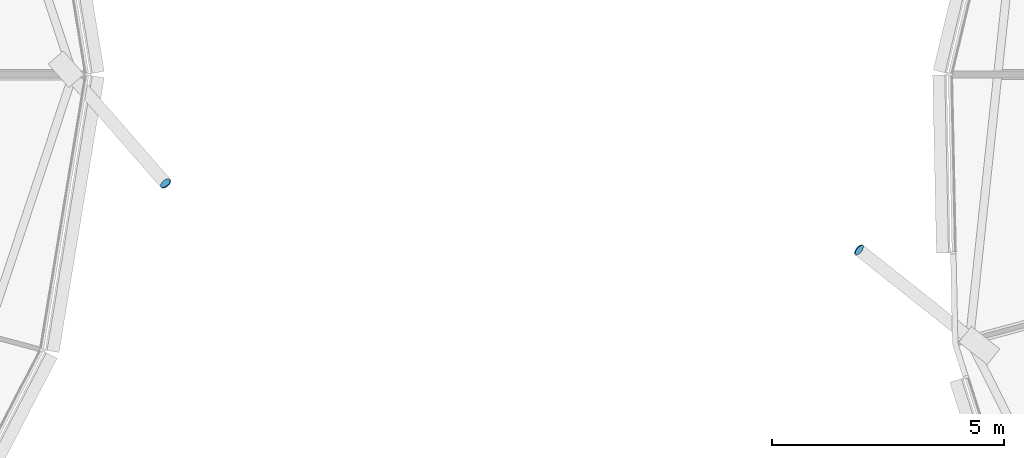
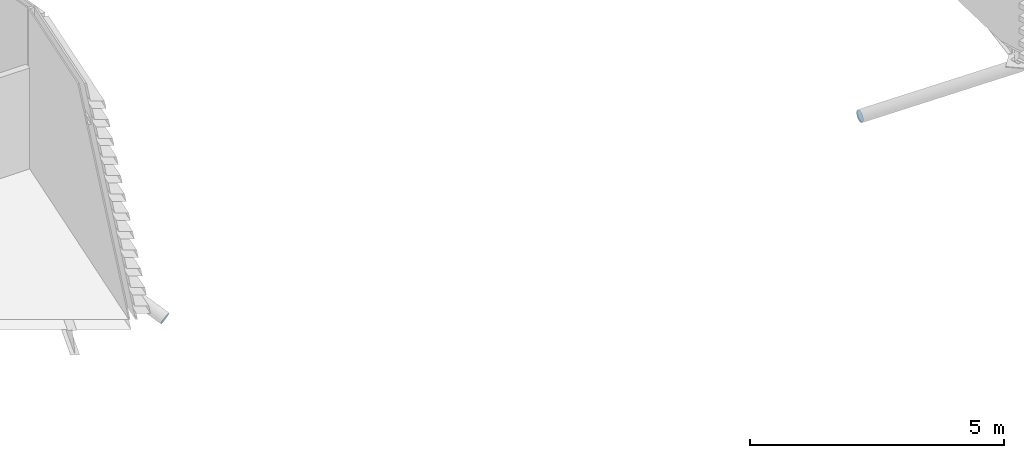
# One storey, part 29 of 37: 2 discrete accessories.
"""IFC4 building model written with IfcOpenShell, lengths in metres."""

from ifc_helpers import new_model, si_unit, direction, frame, origin, origin_2d, place, context, subcontext, project, spatial, circle, extrude, material, material_profile, profile_set, type_object, element, save


model = new_model("IFC4")

# Units and contexts
model_context = context("Model", 3, precision=1e-05, world=origin(), true_north=direction((0.0, 1.0)))
body_context = subcontext(model_context, "Body", "Model", "MODEL_VIEW")
ifc_project = project(units=[si_unit("LENGTHUNIT", "METRE"), si_unit("AREAUNIT", "SQUARE_METRE"), si_unit("VOLUMEUNIT", "CUBIC_METRE"), si_unit("PLANEANGLEUNIT", "RADIAN"), si_unit("MASSUNIT", "GRAM", prefix="KILO")], contexts=[model_context])

# Site, building, storey
site_placement = place(None, origin())
site = spatial("IfcSite", under=ifc_project, at=site_placement, CompositionType="ELEMENT")
building_placement = place(site_placement, origin())
building = spatial("IfcBuilding", under=site, at=building_placement, Name="Rimbun Link Towers", CompositionType="ELEMENT")
storey_placement = place(building_placement, frame((0.0, 0.0, 60.39990234375)))
storey = spatial("IfcBuildingStorey", under=building, at=storey_placement, Name="L14", CompositionType="ELEMENT", Elevation=60.39990234375)

# Discrete accessories
ifc_material = material(Name="Steel S355J2H", Category="steel")
ifc_material_profile = material_profile(ifc_material, circle(Radius=0.1240234375, at=origin_2d()), Name="PL D248")
ifc_profile_set = profile_set([ifc_material_profile], Name="Steel S355J2H")
discrete_accessory_type = type_object("IfcDiscreteAccessoryType", Name="Link foot sealing plate D248X20", PredefinedType="BRACKET", material=ifc_profile_set)
for number, where, z_axis, x_axis, name in (
    (1, (-6.942138671875, -2.33837890625, -2.8173828125), (0.54691291544, -0.644141878185, -0.534759295097), (0.762294079169, 0.647230821936, 0.0), "Link foot sealing plate T1 L14 00"),
    (2, (8.015380859375, -3.784912109375, -2.330810546875), (-0.698401460415, 0.563622231212, -0.44109565921), (-0.628019268259, -0.77819778893, 0.0), "Link foot sealing plate T2 L14 10"),
):
    element("IfcDiscreteAccessory", number, at=place(storey_placement, frame(where, z_axis=z_axis, x_axis=x_axis)), inside=storey, type_object=discrete_accessory_type, Name=name, PredefinedType="BRACKET", context=body_context, shape_type="SweptSolid", body=[
        extrude(circle(Radius=0.1240234375, at=origin_2d()), origin(), (0.0, 0.0, 1.0), 0.02001953125),
    ])

save(model, "model.ifc")
